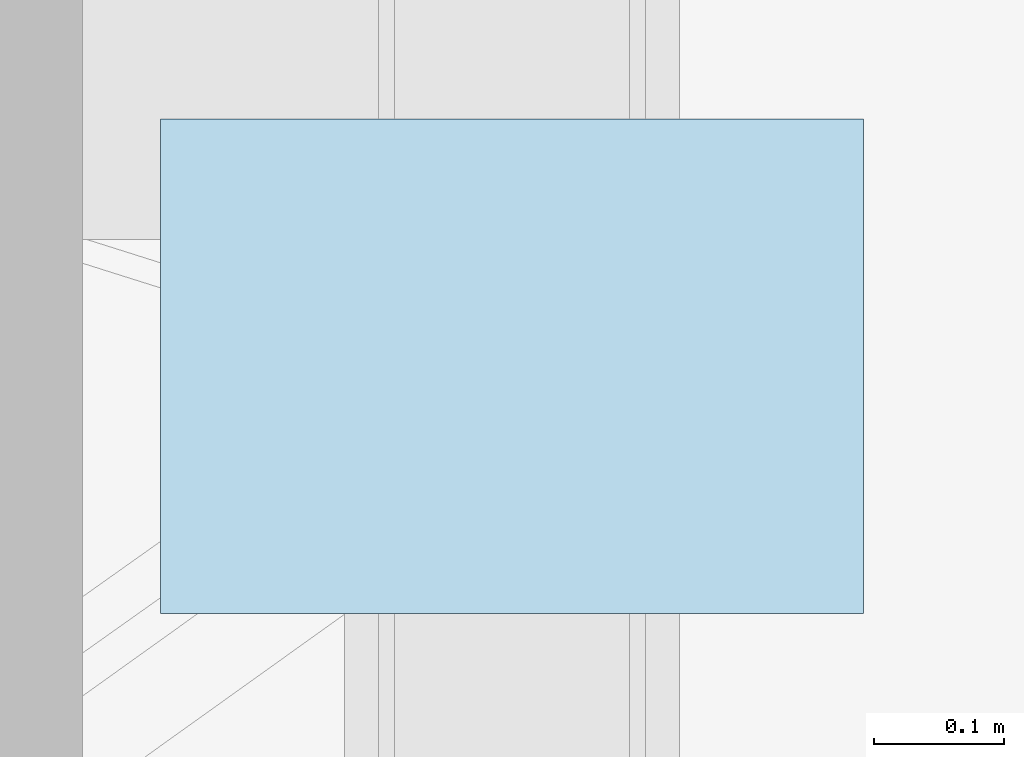
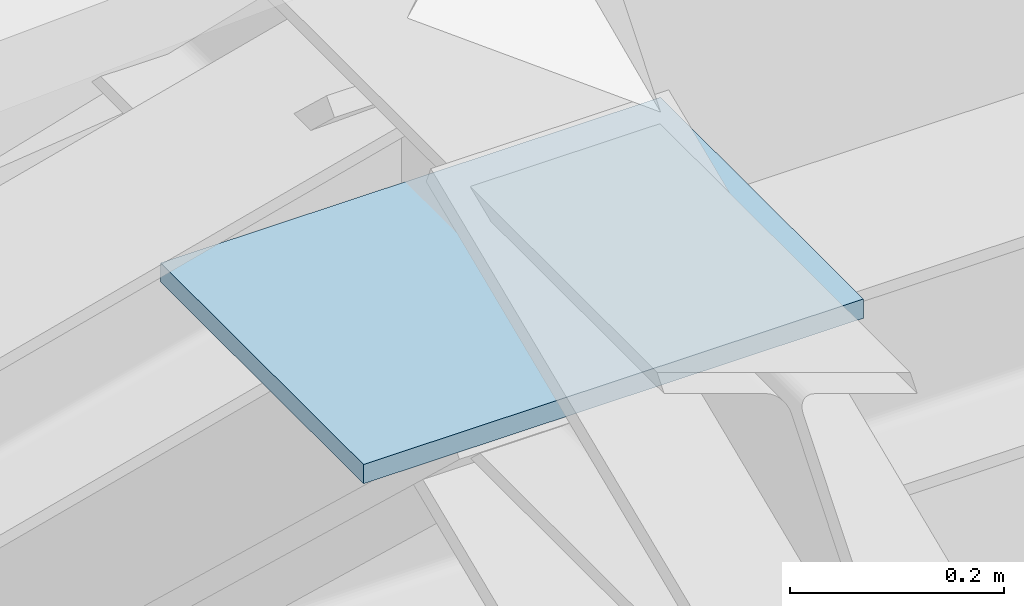
# One storey, part 31 of 54: 1 plate.
"""IFC4 building model written with IfcOpenShell, lengths in metres."""

from ifc_helpers import new_model, si_unit, direction, frame, origin, origin_2d, place, context, subcontext, project, spatial, rectangle, extrude, material, layer, layer_set, type_object, element, save


model = new_model("IFC4")

# Units and contexts
model_context = context("Model", 3, precision=1e-05, world=origin(), true_north=direction((0.0, 1.0)))
body_context = subcontext(model_context, "Body", "Model", "MODEL_VIEW")
ifc_project = project(units=[si_unit("LENGTHUNIT", "METRE"), si_unit("AREAUNIT", "SQUARE_METRE"), si_unit("VOLUMEUNIT", "CUBIC_METRE"), si_unit("PLANEANGLEUNIT", "RADIAN"), si_unit("MASSUNIT", "GRAM", prefix="KILO")], contexts=[model_context])

# Site, building, storey
site_placement = place(None, origin())
site = spatial("IfcSite", under=ifc_project, at=site_placement, CompositionType="ELEMENT")
building_placement = place(site_placement, origin())
building = spatial("IfcBuilding", under=site, at=building_placement, Name="Koriwan Promenade Central Fire Station", CompositionType="ELEMENT")
storey_placement = place(building_placement, frame((0.0, 0.0, 9.60009765625)))
storey = spatial("IfcBuildingStorey", under=building, at=storey_placement, Name="L02", CompositionType="ELEMENT", Elevation=9.60009765625)

# Plate
ifc_material = material(Name="Steel ASTM A572 Grade 50", Category="steel")
ifc_layer = layer(ifc_material, 0.3798828125, Name="Steel ASTM A572 Grade 50")
ifc_layer_set = layer_set([ifc_layer], Name="Steel ASTM A572 Grade 50")
plate_type = type_object("IfcPlateType", Name="NodeGusset_Kink", PredefinedType="SHEET", material=ifc_layer_set)
plate_placement = place(storey_placement, frame((36.0, 63.0, 8.009033203125), z_axis=(0.0, 0.0, 1.0), x_axis=(1.0, 0.0, 0.0)))
element("IfcPlate", 1, at=plate_placement, inside=storey, type_object=plate_type, Name="V4 west chamfer kink node gusset KN-G1", PredefinedType="SHEET", context=body_context, shape_type="SweptSolid", body=[
    extrude(rectangle(XDim=0.5400390625, YDim=0.3798828125, at=origin_2d()), origin(), (0.0, 0.0, 1.0), 0.02197265625),
])

save(model, "model.ifc")
